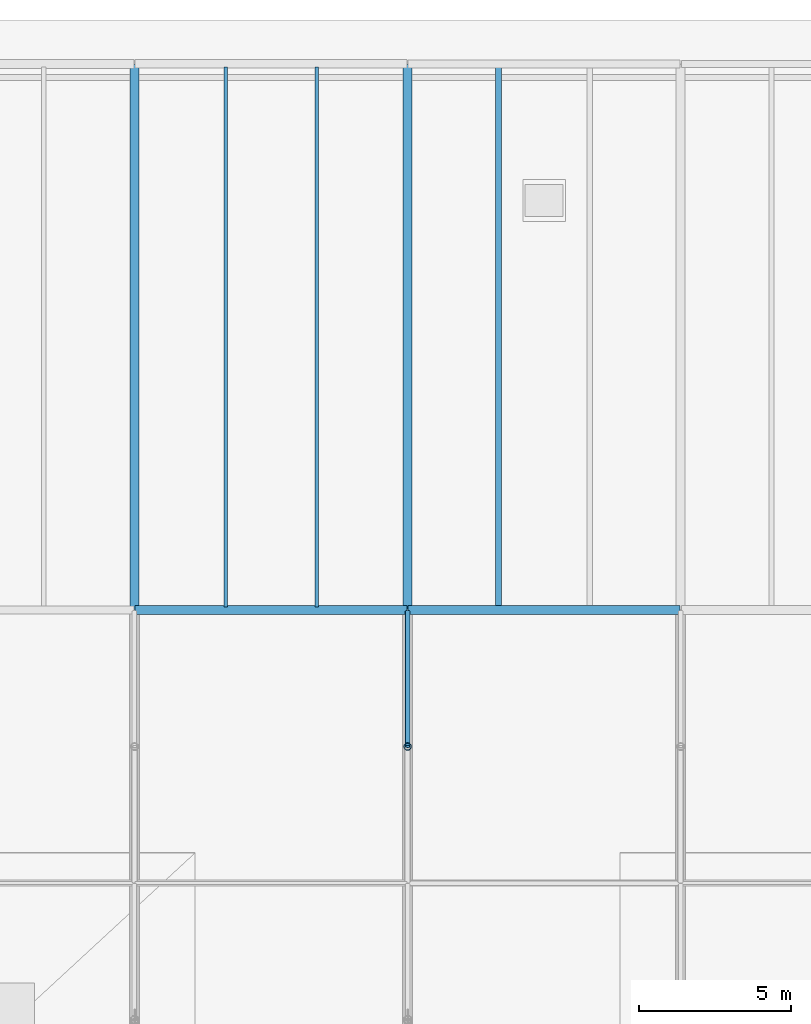
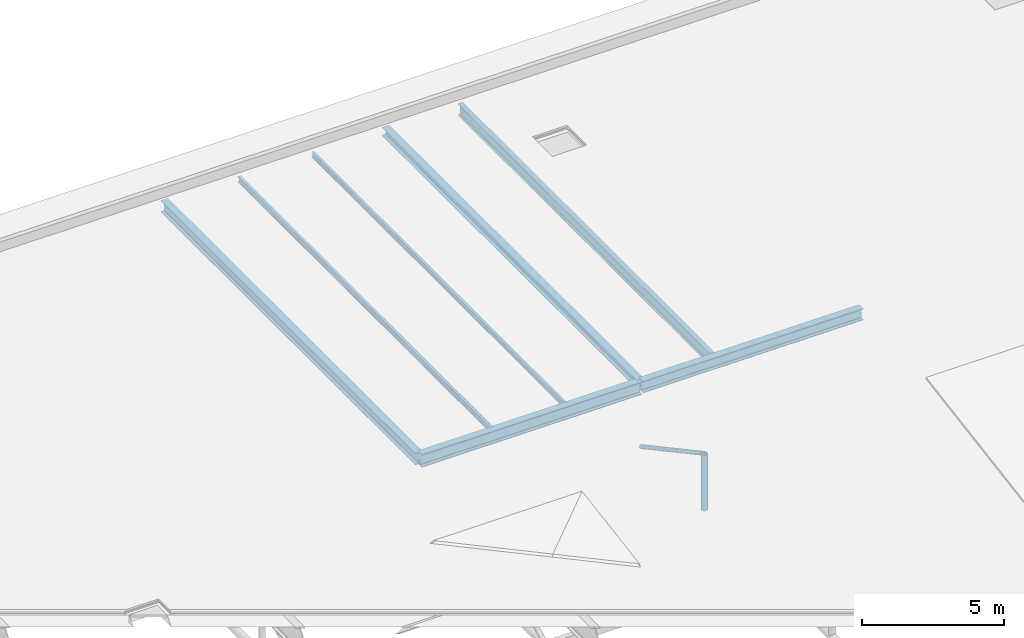
# One storey, part 95 of 196: 7 beams, 2 members.
"""IFC4 building model written with IfcOpenShell, lengths in metres."""

from ifc_helpers import new_model, si_unit, direction, frame, origin, origin_2d, place, context, subcontext, project, spatial, hollow_circle, i_section, extrude, material, material_profile, profile_set, type_object, element, save


model = new_model("IFC4")

# Units and contexts
model_context = context("Model", 3, precision=1e-05, world=origin(), true_north=direction((0.0, 1.0)))
body_context = subcontext(model_context, "Body", "Model", "MODEL_VIEW")
ifc_project = project(units=[si_unit("LENGTHUNIT", "METRE"), si_unit("AREAUNIT", "SQUARE_METRE"), si_unit("VOLUMEUNIT", "CUBIC_METRE"), si_unit("PLANEANGLEUNIT", "RADIAN"), si_unit("MASSUNIT", "GRAM", prefix="KILO")], contexts=[model_context])

# Site, building, storey
site_placement = place(None, origin())
site = spatial("IfcSite", under=ifc_project, at=site_placement, CompositionType="ELEMENT")
building_placement = place(site_placement, origin())
building = spatial("IfcBuilding", under=site, at=building_placement, Name="Barlavento Convention Centre", CompositionType="ELEMENT")
storey_placement = place(building_placement, frame((0.0, 0.0, 18.0)))
storey = spatial("IfcBuildingStorey", under=building, at=storey_placement, Name="L03", CompositionType="ELEMENT", Elevation=18.0)

# Beams
ifc_material = material(Name="Steel S355", Category="steel")
ifc_material_profile_1 = material_profile(ifc_material, i_section(OverallWidth=0.110107421875, OverallDepth=0.219970703125, WebThickness=0.005859375, FlangeThickness=0.00927734375, FilletRadius=0.011962890625, at=origin_2d()), Name="IPE 220")
ifc_profile_set_1 = profile_set([ifc_material_profile_1], Name="Steel S355")
beam_type_1 = type_object("IfcBeamType", Name="STR-BM-JST-IPE220", PredefinedType="JOIST", material=ifc_profile_set_1)
beam_1_placement = place(storey_placement, frame((87.0, 117.094970703125, -0.455078125), z_axis=(0.0, 1.0, 0.0), x_axis=(-1.0, 0.0, 0.0)))
element("IfcBeam", 1, at=beam_1_placement, inside=storey, type_object=beam_type_1, Name="L03 composite floor joist SJ10", PredefinedType="JOIST", context=body_context, shape_type="SweptSolid", body=[
    extrude(i_section(OverallWidth=0.110107421875, OverallDepth=0.219970703125, WebThickness=0.005859375, FlangeThickness=0.00927734375, FilletRadius=0.011962890625, at=origin_2d()), origin(), (0.0, 0.0, 1.0), 17.81005859375),
])
ifc_material_profile_2 = material_profile(ifc_material, i_section(OverallWidth=0.1201171875, OverallDepth=0.239990234375, WebThickness=0.006103515625, FlangeThickness=0.009765625, FilletRadius=0.014892578125, at=origin_2d()), Name="IPE 240")
ifc_profile_set_2 = profile_set([ifc_material_profile_2], Name="Steel S355")
beam_type_2 = type_object("IfcBeamType", Name="STR-BM-JST-IPE240", PredefinedType="JOIST", material=ifc_profile_set_2)
beam_2_placement = place(storey_placement, frame((84.0, 117.094970703125, -0.465087890625), z_axis=(0.0, 1.0, 0.0), x_axis=(-1.0, 0.0, 0.0)))
element("IfcBeam", 2, at=beam_2_placement, inside=storey, type_object=beam_type_2, Name="L03 composite floor joist SJ09", PredefinedType="JOIST", context=body_context, shape_type="SweptSolid", body=[
    extrude(i_section(OverallWidth=0.1201171875, OverallDepth=0.239990234375, WebThickness=0.006103515625, FlangeThickness=0.009765625, FilletRadius=0.014892578125, at=origin_2d()), origin(), (0.0, 0.0, 1.0), 17.81005859375),
])
ifc_material_profile_3 = material_profile(ifc_material, i_section(OverallWidth=0.199951171875, OverallDepth=0.5, WebThickness=0.01025390625, FlangeThickness=0.01611328125, FilletRadius=0.02099609375, at=origin_2d()), Name="IPE 500")
ifc_profile_set_3 = profile_set([ifc_material_profile_3], Name="Steel S355")
beam_type_3 = type_object("IfcBeamType", Name="STR-BM-JST-IPE500", PredefinedType="JOIST", material=ifc_profile_set_3)
beam_3_placement = place(storey_placement, frame((93.0, 117.094970703125, -0.594970703125), z_axis=(0.0, 1.0, 0.0), x_axis=(-1.0, 0.0, 0.0)))
element("IfcBeam", 3, at=beam_3_placement, inside=storey, type_object=beam_type_3, Name="L03 composite floor joist SJ02", PredefinedType="JOIST", context=body_context, shape_type="SweptSolid", body=[
    extrude(i_section(OverallWidth=0.199951171875, OverallDepth=0.5, WebThickness=0.01025390625, FlangeThickness=0.01611328125, FilletRadius=0.02099609375, at=origin_2d()), origin(), (0.0, 0.0, 1.0), 17.81005859375),
])
ifc_material_profile_4 = material_profile(ifc_material, i_section(OverallWidth=0.300048828125, OverallDepth=0.35009765625, WebThickness=0.010009765625, FlangeThickness=0.017578125, FilletRadius=0.027099609375, at=origin_2d()), Name="HEA 360")
ifc_profile_set_4 = profile_set([ifc_material_profile_4], Name="Steel S355")
beam_type_4 = type_object("IfcBeamType", Name="STR-BM-PRI-HEA360", PredefinedType="BEAM", material=ifc_profile_set_4)
beam_4_placement = place(storey_placement, frame((90.0, 117.02001953125, -0.52001953125), z_axis=(0.0, 1.0, 0.0), x_axis=(-1.0, 0.0, 0.0)))
element("IfcBeam", 4, at=beam_4_placement, inside=storey, type_object=beam_type_4, Name="L03 grid girder BG23", PredefinedType="BEAM", context=body_context, shape_type="SweptSolid", body=[
    extrude(i_section(OverallWidth=0.300048828125, OverallDepth=0.35009765625, WebThickness=0.010009765625, FlangeThickness=0.017578125, FilletRadius=0.027099609375, at=origin_2d()), origin(), (0.0, 0.0, 1.0), 17.9599609375),
])
ifc_material_profile_5 = material_profile(ifc_material, i_section(OverallWidth=0.300048828125, OverallDepth=0.489990234375, WebThickness=0.011962890625, FlangeThickness=0.02294921875, FilletRadius=0.027099609375, at=origin_2d()), Name="HEA 500")
ifc_profile_set_5 = profile_set([ifc_material_profile_5], Name="Steel S355")
beam_type_5 = type_object("IfcBeamType", Name="STR-BM-PRI-HEA500", PredefinedType="BEAM", material=ifc_profile_set_5)
beam_5_placement = place(storey_placement, frame((81.0, 117.02001953125, -0.590087890625), z_axis=(0.0, 1.0, 0.0), x_axis=(-1.0, 0.0, 0.0)))
element("IfcBeam", 5, at=beam_5_placement, inside=storey, type_object=beam_type_5, Name="L03 grid girder BG20", PredefinedType="BEAM", context=body_context, shape_type="SweptSolid", body=[
    extrude(i_section(OverallWidth=0.300048828125, OverallDepth=0.489990234375, WebThickness=0.011962890625, FlangeThickness=0.02294921875, FilletRadius=0.027099609375, at=origin_2d()), origin(), (0.0, 0.0, 1.0), 17.9599609375),
])
ifc_material_profile_6 = material_profile(ifc_material, i_section(OverallWidth=0.300048828125, OverallDepth=0.5, WebThickness=0.014404296875, FlangeThickness=0.028076171875, FilletRadius=0.027099609375, at=origin_2d()), Name="HEB 500")
ifc_profile_set_6 = profile_set([ifc_material_profile_6], Name="Steel S355")
beam_type_6 = type_object("IfcBeamType", Name="STR-BM-PRI-HEB500", PredefinedType="BEAM", material=ifc_profile_set_6)
beam_6_placement = place(storey_placement, frame((90.02001953125, 117.0, -0.594970703125), z_axis=(1.0, 0.0, 0.0), x_axis=(0.0, 1.0, 0.0)))
element("IfcBeam", 6, at=beam_6_placement, inside=storey, type_object=beam_type_6, Name="L03 primary girder BG09", PredefinedType="BEAM", context=body_context, shape_type="SweptSolid", body=[
    extrude(i_section(OverallWidth=0.300048828125, OverallDepth=0.5, WebThickness=0.014404296875, FlangeThickness=0.028076171875, FilletRadius=0.027099609375, at=origin_2d()), origin(), (0.0, 0.0, 1.0), 8.9599609375),
])
ifc_material_profile_7 = material_profile(ifc_material, i_section(OverallWidth=0.300048828125, OverallDepth=0.550048828125, WebThickness=0.014892578125, FlangeThickness=0.029052734375, FilletRadius=0.027099609375, at=origin_2d()), Name="HEB 550")
ifc_profile_set_7 = profile_set([ifc_material_profile_7], Name="Steel S355")
beam_type_7 = type_object("IfcBeamType", Name="STR-BM-PRI-HEB550", PredefinedType="BEAM", material=ifc_profile_set_7)
beam_7_placement = place(storey_placement, frame((81.02001953125, 117.0, -0.6201171875), z_axis=(1.0, 0.0, 0.0), x_axis=(0.0, 1.0, 0.0)))
element("IfcBeam", 7, at=beam_7_placement, inside=storey, type_object=beam_type_7, Name="L03 primary girder BG08", PredefinedType="BEAM", context=body_context, shape_type="SweptSolid", body=[
    extrude(i_section(OverallWidth=0.300048828125, OverallDepth=0.550048828125, WebThickness=0.014892578125, FlangeThickness=0.029052734375, FilletRadius=0.027099609375, at=origin_2d()), origin(), (0.0, 0.0, 1.0), 8.9599609375),
])

# Members
ifc_material_profile_8 = material_profile(ifc_material, hollow_circle(Radius=0.084228515625, WallThickness=0.010009765625, at=origin_2d()), Name="CHS 168.3x10.0")
ifc_profile_set_8 = profile_set([ifc_material_profile_8], Name="Steel S355")
member_type_1 = type_object("IfcMemberType", Name="STR-MEM-DIAG-CHS168", PredefinedType="POST", material=ifc_profile_set_8)
member_1_placement = place(storey_placement, frame((90.0, 112.5, -0.794921875), z_axis=(0.0, 0.879735433057, -0.475463529437), x_axis=(-1.0, 0.0, 0.0)))
element("IfcMember", 8, at=member_1_placement, inside=storey, type_object=member_type_1, Name="Exhibition space frame web diagonal", PredefinedType="POST", context=body_context, shape_type="SweptSolid", body=[
    extrude(hollow_circle(Radius=0.084228515625, WallThickness=0.010009765625, at=origin_2d()), origin(), (0.0, 0.0, 1.0), 5.058349609375),
])
ifc_material_profile_9 = material_profile(ifc_material, hollow_circle(Radius=0.122314453125, WallThickness=0.012451171875, at=origin_2d()), Name="CHS 244.5x12.5")
ifc_profile_set_9 = profile_set([ifc_material_profile_9], Name="Steel S355")
member_type_2 = type_object("IfcMemberType", Name="STR-MEM-STRUT-CHS244", PredefinedType="STRUT", material=ifc_profile_set_9)
member_2_placement = place(storey_placement, frame((90.0, 112.5, -3.199951171875), z_axis=(0.0, 0.0, 1.0), x_axis=(1.0, 0.0, 0.0)))
element("IfcMember", 9, at=member_2_placement, inside=storey, type_object=member_type_2, Name="Exhibition space frame vertical strut", PredefinedType="STRUT", context=body_context, shape_type="SweptSolid", body=[
    extrude(hollow_circle(Radius=0.122314453125, WallThickness=0.012451171875, at=origin_2d()), origin(), (0.0, 0.0, 1.0), 2.405029296875),
])

save(model, "model.ifc")
